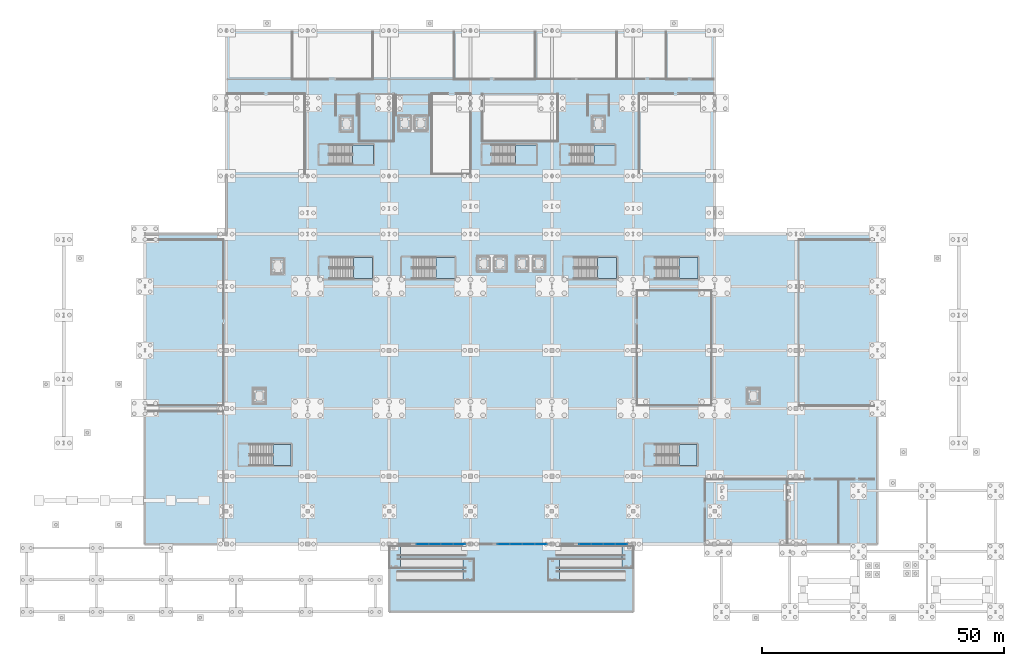
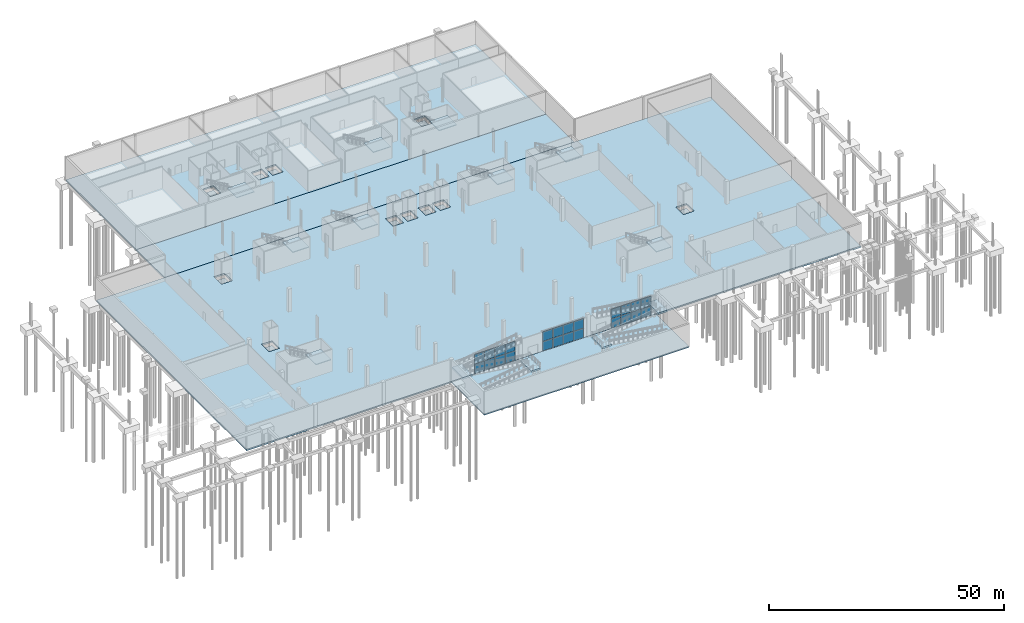
# One storey, part 23 of 46: 28 slabs, 24 plates, 12 elements without a shape of their own.
"""IFC4 building model written with IfcOpenShell, lengths in metres."""

from ifc_helpers import new_model, si_unit, direction, frame, origin, origin_2d, place, context, subcontext, project, spatial, polyline, rectangle, outline, extrude, material, layer, layer_set, type_object, element, aggregate, save


model = new_model("IFC4")

# Units and contexts
model_context = context("Model", 3, precision=1e-05, world=origin(), true_north=direction((0.0, 1.0)))
body_context = subcontext(model_context, "Body", "Model", "MODEL_VIEW")
ifc_project = project(units=[si_unit("LENGTHUNIT", "METRE"), si_unit("AREAUNIT", "SQUARE_METRE"), si_unit("VOLUMEUNIT", "CUBIC_METRE"), si_unit("PLANEANGLEUNIT", "RADIAN"), si_unit("MASSUNIT", "GRAM", prefix="KILO")], contexts=[model_context])

# Site, building, storey
site_placement = place(None, origin())
site = spatial("IfcSite", under=ifc_project, at=site_placement, CompositionType="ELEMENT")
building_placement = place(site_placement, origin())
building = spatial("IfcBuilding", under=site, at=building_placement, Name="Kimbaza Rail Terminus", CompositionType="ELEMENT")
storey_placement = place(building_placement, frame((0.0, 0.0, -6.0)))
storey = spatial("IfcBuildingStorey", under=building, at=storey_placement, Name="B1", CompositionType="ELEMENT", Elevation=-6.0)

# Curtain wall, plates
ifc_material_1 = material(Name="Anodised aluminium framing and solar low-E glazing", Category="aluminium")
curtain_wall_type = type_object("IfcCurtainWallType", Name="ARC-CW-CN1", PredefinedType="USERDEFINED", material=ifc_material_1)
curtain_wall_1_placement = place(storey_placement, origin())
curtain_wall_1 = element("IfcCurtainWall", 1, at=curtain_wall_1_placement, inside=storey, type_object=curtain_wall_type, Name="Metro Sunken Plaza Curtain Wall 1", ObjectType="UNITISED CURTAIN WALL", PredefinedType="USERDEFINED")
ifc_material_2 = material(Name="Solar-control double low-E glazing", Category="glass")
ifc_layer_1 = layer(ifc_material_2, 0.032958984375)
ifc_layer_set_1 = layer_set([ifc_layer_1], Name="Solar-control double low-E glazing")
plate_type = type_object("IfcPlateType", Name="ARC-CWP-02", PredefinedType="CURTAIN_PANEL", material=ifc_layer_set_1)
plate_1_placement = place(storey_placement, frame((95.6923828125, 27.0, 0.06982421875), z_axis=(0.0, 0.0, 1.0), x_axis=(1.0, 0.0, 0.0)))
plate_1 = element("IfcPlate", 2, at=plate_1_placement, type_object=plate_type, Name="CW-02 panel 1.1", PredefinedType="CURTAIN_PANEL", context=body_context, shape_type="SweptSolid", body=[
    extrude(rectangle(XDim=2.445068359375, YDim=0.032958984375, at=origin_2d()), origin(), (0.0, 0.0, 1.0), 2.445068359375),
])
plate_2_placement = place(storey_placement, frame((95.6923828125, 27.0, 2.5849609375), z_axis=(0.0, 0.0, 1.0), x_axis=(1.0, 0.0, 0.0)))
plate_2 = element("IfcPlate", 3, at=plate_2_placement, type_object=plate_type, Name="CW-02 panel 1.2", PredefinedType="CURTAIN_PANEL", context=body_context, shape_type="SweptSolid", body=[
    extrude(rectangle(XDim=2.445068359375, YDim=0.032958984375, at=origin_2d()), origin(), (0.0, 0.0, 1.0), 2.445068359375),
])
plate_3_placement = place(storey_placement, frame((98.22509765625, 27.0, 0.06982421875), z_axis=(0.0, 0.0, 1.0), x_axis=(1.0, 0.0, 0.0)))
plate_3 = element("IfcPlate", 4, at=plate_3_placement, type_object=plate_type, Name="CW-02 panel 2.1", PredefinedType="CURTAIN_PANEL", context=body_context, shape_type="SweptSolid", body=[
    extrude(rectangle(XDim=2.47998046875, YDim=0.032958984375, at=origin_2d()), origin(), (0.0, 0.0, 1.0), 2.445068359375),
])
plate_4_placement = place(storey_placement, frame((98.22509765625, 27.0, 2.5849609375), z_axis=(0.0, 0.0, 1.0), x_axis=(1.0, 0.0, 0.0)))
plate_4 = element("IfcPlate", 5, at=plate_4_placement, type_object=plate_type, Name="CW-02 panel 2.2", PredefinedType="CURTAIN_PANEL", context=body_context, shape_type="SweptSolid", body=[
    extrude(rectangle(XDim=2.47998046875, YDim=0.032958984375, at=origin_2d()), origin(), (0.0, 0.0, 1.0), 2.445068359375),
])
plate_5_placement = place(storey_placement, frame((100.77490234375, 27.0, 0.06982421875), z_axis=(0.0, 0.0, 1.0), x_axis=(1.0, 0.0, 0.0)))
plate_5 = element("IfcPlate", 6, at=plate_5_placement, type_object=plate_type, Name="CW-02 panel 3.1", PredefinedType="CURTAIN_PANEL", context=body_context, shape_type="SweptSolid", body=[
    extrude(rectangle(XDim=2.47998046875, YDim=0.032958984375, at=origin_2d()), origin(), (0.0, 0.0, 1.0), 2.445068359375),
])
plate_6_placement = place(storey_placement, frame((100.77490234375, 27.0, 2.5849609375), z_axis=(0.0, 0.0, 1.0), x_axis=(1.0, 0.0, 0.0)))
plate_6 = element("IfcPlate", 7, at=plate_6_placement, type_object=plate_type, Name="CW-02 panel 3.2", PredefinedType="CURTAIN_PANEL", context=body_context, shape_type="SweptSolid", body=[
    extrude(rectangle(XDim=2.47998046875, YDim=0.032958984375, at=origin_2d()), origin(), (0.0, 0.0, 1.0), 2.445068359375),
])
plate_7_placement = place(storey_placement, frame((103.3076171875, 27.0, 0.06982421875), z_axis=(0.0, 0.0, 1.0), x_axis=(1.0, 0.0, 0.0)))
plate_7 = element("IfcPlate", 8, at=plate_7_placement, type_object=plate_type, Name="CW-02 panel 4.1", PredefinedType="CURTAIN_PANEL", context=body_context, shape_type="SweptSolid", body=[
    extrude(rectangle(XDim=2.445068359375, YDim=0.032958984375, at=origin_2d()), origin(), (0.0, 0.0, 1.0), 2.445068359375),
])
plate_8_placement = place(storey_placement, frame((103.3076171875, 27.0, 2.5849609375), z_axis=(0.0, 0.0, 1.0), x_axis=(1.0, 0.0, 0.0)))
plate_8 = element("IfcPlate", 9, at=plate_8_placement, type_object=plate_type, Name="CW-02 panel 4.2", PredefinedType="CURTAIN_PANEL", context=body_context, shape_type="SweptSolid", body=[
    extrude(rectangle(XDim=2.445068359375, YDim=0.032958984375, at=origin_2d()), origin(), (0.0, 0.0, 1.0), 2.445068359375),
])
aggregate(curtain_wall_1, [plate_1, plate_2, plate_3, plate_4, plate_5, plate_6, plate_7, plate_8])

curtain_wall_2_placement = place(storey_placement, origin())
curtain_wall_2 = element("IfcCurtainWall", 10, at=curtain_wall_2_placement, inside=storey, type_object=curtain_wall_type, Name="Metro Sunken Plaza Curtain Wall 2", ObjectType="UNITISED CURTAIN WALL", PredefinedType="USERDEFINED")
plate_9_placement = place(storey_placement, frame((112.492431640625, 27.0, 0.06982421875), z_axis=(0.0, 0.0, 1.0), x_axis=(1.0, 0.0, 0.0)))
plate_9 = element("IfcPlate", 11, at=plate_9_placement, type_object=plate_type, Name="CW-02 panel 1.1", PredefinedType="CURTAIN_PANEL", context=body_context, shape_type="SweptSolid", body=[
    extrude(rectangle(XDim=2.445068359375, YDim=0.032958984375, at=origin_2d()), origin(), (0.0, 0.0, 1.0), 2.445068359375),
])
plate_10_placement = place(storey_placement, frame((112.492431640625, 27.0, 2.5849609375), z_axis=(0.0, 0.0, 1.0), x_axis=(1.0, 0.0, 0.0)))
plate_10 = element("IfcPlate", 12, at=plate_10_placement, type_object=plate_type, Name="CW-02 panel 1.2", PredefinedType="CURTAIN_PANEL", context=body_context, shape_type="SweptSolid", body=[
    extrude(rectangle(XDim=2.445068359375, YDim=0.032958984375, at=origin_2d()), origin(), (0.0, 0.0, 1.0), 2.445068359375),
])
plate_11_placement = place(storey_placement, frame((115.02490234375, 27.0, 0.06982421875), z_axis=(0.0, 0.0, 1.0), x_axis=(1.0, 0.0, 0.0)))
plate_11 = element("IfcPlate", 13, at=plate_11_placement, type_object=plate_type, Name="CW-02 panel 2.1", PredefinedType="CURTAIN_PANEL", context=body_context, shape_type="SweptSolid", body=[
    extrude(rectangle(XDim=2.47998046875, YDim=0.032958984375, at=origin_2d()), origin(), (0.0, 0.0, 1.0), 2.445068359375),
])
plate_12_placement = place(storey_placement, frame((115.02490234375, 27.0, 2.5849609375), z_axis=(0.0, 0.0, 1.0), x_axis=(1.0, 0.0, 0.0)))
plate_12 = element("IfcPlate", 14, at=plate_12_placement, type_object=plate_type, Name="CW-02 panel 2.2", PredefinedType="CURTAIN_PANEL", context=body_context, shape_type="SweptSolid", body=[
    extrude(rectangle(XDim=2.47998046875, YDim=0.032958984375, at=origin_2d()), origin(), (0.0, 0.0, 1.0), 2.445068359375),
])
plate_13_placement = place(storey_placement, frame((117.574951171875, 27.0, 0.06982421875), z_axis=(0.0, 0.0, 1.0), x_axis=(1.0, 0.0, 0.0)))
plate_13 = element("IfcPlate", 15, at=plate_13_placement, type_object=plate_type, Name="CW-02 panel 3.1", PredefinedType="CURTAIN_PANEL", context=body_context, shape_type="SweptSolid", body=[
    extrude(rectangle(XDim=2.47998046875, YDim=0.032958984375, at=origin_2d()), origin(), (0.0, 0.0, 1.0), 2.445068359375),
])
plate_14_placement = place(storey_placement, frame((117.574951171875, 27.0, 2.5849609375), z_axis=(0.0, 0.0, 1.0), x_axis=(1.0, 0.0, 0.0)))
plate_14 = element("IfcPlate", 16, at=plate_14_placement, type_object=plate_type, Name="CW-02 panel 3.2", PredefinedType="CURTAIN_PANEL", context=body_context, shape_type="SweptSolid", body=[
    extrude(rectangle(XDim=2.47998046875, YDim=0.032958984375, at=origin_2d()), origin(), (0.0, 0.0, 1.0), 2.445068359375),
])
plate_15_placement = place(storey_placement, frame((120.107421875, 27.0, 0.06982421875), z_axis=(0.0, 0.0, 1.0), x_axis=(1.0, 0.0, 0.0)))
plate_15 = element("IfcPlate", 17, at=plate_15_placement, type_object=plate_type, Name="CW-02 panel 4.1", PredefinedType="CURTAIN_PANEL", context=body_context, shape_type="SweptSolid", body=[
    extrude(rectangle(XDim=2.445068359375, YDim=0.032958984375, at=origin_2d()), origin(), (0.0, 0.0, 1.0), 2.445068359375),
])
plate_16_placement = place(storey_placement, frame((120.107421875, 27.0, 2.5849609375), z_axis=(0.0, 0.0, 1.0), x_axis=(1.0, 0.0, 0.0)))
plate_16 = element("IfcPlate", 18, at=plate_16_placement, type_object=plate_type, Name="CW-02 panel 4.2", PredefinedType="CURTAIN_PANEL", context=body_context, shape_type="SweptSolid", body=[
    extrude(rectangle(XDim=2.445068359375, YDim=0.032958984375, at=origin_2d()), origin(), (0.0, 0.0, 1.0), 2.445068359375),
])
aggregate(curtain_wall_2, [plate_9, plate_10, plate_11, plate_12, plate_13, plate_14, plate_15, plate_16])

curtain_wall_3_placement = place(storey_placement, origin())
curtain_wall_3 = element("IfcCurtainWall", 19, at=curtain_wall_3_placement, inside=storey, type_object=curtain_wall_type, Name="Metro Sunken Plaza Curtain Wall 3", ObjectType="UNITISED CURTAIN WALL", PredefinedType="USERDEFINED")
plate_17_placement = place(storey_placement, frame((129.267578125, 27.0, 0.06982421875), z_axis=(0.0, 0.0, 1.0), x_axis=(1.0, 0.0, 0.0)))
plate_17 = element("IfcPlate", 20, at=plate_17_placement, type_object=plate_type, Name="CW-02 panel 1.1", PredefinedType="CURTAIN_PANEL", context=body_context, shape_type="SweptSolid", body=[
    extrude(rectangle(XDim=2.39501953125, YDim=0.032958984375, at=origin_2d()), origin(), (0.0, 0.0, 1.0), 2.445068359375),
])
plate_18_placement = place(storey_placement, frame((129.267578125, 27.0, 2.5849609375), z_axis=(0.0, 0.0, 1.0), x_axis=(1.0, 0.0, 0.0)))
plate_18 = element("IfcPlate", 21, at=plate_18_placement, type_object=plate_type, Name="CW-02 panel 1.2", PredefinedType="CURTAIN_PANEL", context=body_context, shape_type="SweptSolid", body=[
    extrude(rectangle(XDim=2.39501953125, YDim=0.032958984375, at=origin_2d()), origin(), (0.0, 0.0, 1.0), 2.445068359375),
])
plate_19_placement = place(storey_placement, frame((131.75, 27.0, 0.06982421875), z_axis=(0.0, 0.0, 1.0), x_axis=(1.0, 0.0, 0.0)))
plate_19 = element("IfcPlate", 22, at=plate_19_placement, type_object=plate_type, Name="CW-02 panel 2.1", PredefinedType="CURTAIN_PANEL", context=body_context, shape_type="SweptSolid", body=[
    extrude(rectangle(XDim=2.429931640625, YDim=0.032958984375, at=origin_2d()), origin(), (0.0, 0.0, 1.0), 2.445068359375),
])
plate_20_placement = place(storey_placement, frame((131.75, 27.0, 2.5849609375), z_axis=(0.0, 0.0, 1.0), x_axis=(1.0, 0.0, 0.0)))
plate_20 = element("IfcPlate", 23, at=plate_20_placement, type_object=plate_type, Name="CW-02 panel 2.2", PredefinedType="CURTAIN_PANEL", context=body_context, shape_type="SweptSolid", body=[
    extrude(rectangle(XDim=2.429931640625, YDim=0.032958984375, at=origin_2d()), origin(), (0.0, 0.0, 1.0), 2.445068359375),
])
plate_21_placement = place(storey_placement, frame((134.25, 27.0, 0.06982421875), z_axis=(0.0, 0.0, 1.0), x_axis=(1.0, 0.0, 0.0)))
plate_21 = element("IfcPlate", 24, at=plate_21_placement, type_object=plate_type, Name="CW-02 panel 3.1", PredefinedType="CURTAIN_PANEL", context=body_context, shape_type="SweptSolid", body=[
    extrude(rectangle(XDim=2.429931640625, YDim=0.032958984375, at=origin_2d()), origin(), (0.0, 0.0, 1.0), 2.445068359375),
])
plate_22_placement = place(storey_placement, frame((134.25, 27.0, 2.5849609375), z_axis=(0.0, 0.0, 1.0), x_axis=(1.0, 0.0, 0.0)))
plate_22 = element("IfcPlate", 25, at=plate_22_placement, type_object=plate_type, Name="CW-02 panel 3.2", PredefinedType="CURTAIN_PANEL", context=body_context, shape_type="SweptSolid", body=[
    extrude(rectangle(XDim=2.429931640625, YDim=0.032958984375, at=origin_2d()), origin(), (0.0, 0.0, 1.0), 2.445068359375),
])
plate_23_placement = place(storey_placement, frame((136.732421875, 27.0, 0.06982421875), z_axis=(0.0, 0.0, 1.0), x_axis=(1.0, 0.0, 0.0)))
plate_23 = element("IfcPlate", 26, at=plate_23_placement, type_object=plate_type, Name="CW-02 panel 4.1", PredefinedType="CURTAIN_PANEL", context=body_context, shape_type="SweptSolid", body=[
    extrude(rectangle(XDim=2.39501953125, YDim=0.032958984375, at=origin_2d()), origin(), (0.0, 0.0, 1.0), 2.445068359375),
])
plate_24_placement = place(storey_placement, frame((136.732421875, 27.0, 2.5849609375), z_axis=(0.0, 0.0, 1.0), x_axis=(1.0, 0.0, 0.0)))
plate_24 = element("IfcPlate", 27, at=plate_24_placement, type_object=plate_type, Name="CW-02 panel 4.2", PredefinedType="CURTAIN_PANEL", context=body_context, shape_type="SweptSolid", body=[
    extrude(rectangle(XDim=2.39501953125, YDim=0.032958984375, at=origin_2d()), origin(), (0.0, 0.0, 1.0), 2.445068359375),
])
aggregate(curtain_wall_3, [plate_17, plate_18, plate_19, plate_20, plate_21, plate_22, plate_23, plate_24])

# Slabs
ifc_material_3 = material(Name="Concrete C40/50", Category="concrete")
ifc_layer_2 = layer(ifc_material_3, 0.39990234375)
ifc_layer_set_2 = layer_set([ifc_layer_2], Name="Concrete C40/50")
slab_type_1 = type_object("IfcSlabType", Name="STR-SL-BASE400", PredefinedType="BASESLAB", material=ifc_layer_set_2)
slab_1_placement = place(storey_placement, frame((0.0, 0.0, -0.39990234375)))
element("IfcSlab", 28, at=slab_1_placement, inside=storey, type_object=slab_type_1, Name="Operations Wing B1 Base Slab", PredefinedType="BASESLAB", context=body_context, shape_type="SweptSolid", body=[
    extrude(outline(polyline([(55.199951171875, 103.0), (156.0, 103.0), (156.0, 133.0), (55.199951171875, 133.0), (55.199951171875, 103.0)]), holes=[polyline([(90.699951171875, 112.39990234375), (93.300048828125, 112.39990234375), (93.300048828125, 115.60009765625), (90.699951171875, 115.60009765625), (90.699951171875, 112.39990234375)]), polyline([(94.10009765625, 112.39990234375), (96.699951171875, 112.39990234375), (96.699951171875, 115.60009765625), (94.10009765625, 115.60009765625), (94.10009765625, 112.39990234375)]), polyline([(78.699951171875, 112.199951171875), (81.300048828125, 112.199951171875), (81.300048828125, 115.39990234375), (78.699951171875, 115.39990234375), (78.699951171875, 112.199951171875)]), polyline([(130.699951171875, 112.199951171875), (133.300048828125, 112.199951171875), (133.300048828125, 115.39990234375), (130.699951171875, 115.39990234375), (130.699951171875, 112.199951171875)])]), origin(), (0.0, 0.0, 1.0), 0.39990234375),
])
slab_2_placement = place(storey_placement, frame((0.0, 0.0, -0.39990234375)))
element("IfcSlab", 29, at=slab_2_placement, inside=storey, type_object=slab_type_1, Name="Metro Concourse & Under-Viaduct B1 Base Slab", PredefinedType="BASESLAB", context=body_context, shape_type="SweptSolid", body=[
    extrude(outline(polyline([(38.39990234375, 27.0), (189.60009765625, 27.0), (189.60009765625, 91.0), (38.39990234375, 91.0), (38.39990234375, 27.0)]), holes=[polyline([(106.89990234375, 83.199951171875), (109.5, 83.199951171875), (109.5, 86.39990234375), (106.89990234375, 86.39990234375), (106.89990234375, 83.199951171875)]), polyline([(110.5, 83.199951171875), (113.10009765625, 83.199951171875), (113.10009765625, 86.39990234375), (110.5, 86.39990234375), (110.5, 83.199951171875)]), polyline([(114.89990234375, 83.199951171875), (117.5, 83.199951171875), (117.5, 86.39990234375), (114.89990234375, 86.39990234375), (114.89990234375, 83.199951171875)]), polyline([(118.5, 83.199951171875), (121.10009765625, 83.199951171875), (121.10009765625, 86.39990234375), (118.5, 86.39990234375), (118.5, 83.199951171875)]), polyline([(60.699951171875, 56.0), (63.300048828125, 56.0), (63.300048828125, 59.199951171875), (60.699951171875, 59.199951171875), (60.699951171875, 56.0)]), polyline([(162.699951171875, 56.0), (165.300048828125, 56.0), (165.300048828125, 59.199951171875), (162.699951171875, 59.199951171875), (162.699951171875, 56.0)]), polyline([(64.5, 82.800048828125), (67.10009765625, 82.800048828125), (67.10009765625, 86.0), (64.5, 86.0), (64.5, 82.800048828125)])]), origin(), (0.0, 0.0, 1.0), 0.39990234375),
])
slab_3_placement = place(storey_placement, frame((0.0, 0.0, -0.39990234375)))
element("IfcSlab", 30, at=slab_3_placement, inside=storey, type_object=slab_type_1, Name="North Service Link B1 Base Slab", PredefinedType="BASESLAB", context=body_context, shape_type="SweptSolid", body=[
    extrude(outline(polyline([(55.199951171875, 91.0), (156.0, 91.0), (156.0, 103.0), (55.199951171875, 103.0), (55.199951171875, 91.0)])), origin(), (0.0, 0.0, 1.0), 0.39990234375),
])

# Stair, slab
ifc_material_4 = material(Name="Concrete C40/50", Category="concrete")
stair_type_1 = type_object("IfcStairType", Name="ARC-STR-01", PredefinedType="HALF_TURN_STAIR", material=ifc_material_4)
stair_1_placement = place(storey_placement, origin())
stair_1 = element("IfcStair", 31, at=stair_1_placement, inside=storey, type_object=stair_type_1, Name="B1 Operations West Exit Stair", PredefinedType="HALF_TURN_STAIR")
ifc_material_5 = material(Name="Concrete C40/50", Category="concrete")
ifc_layer_3 = layer(ifc_material_5, 0.199951171875)
ifc_layer_set_3 = layer_set([ifc_layer_3], Name="Concrete C40/50")
slab_type_2 = type_object("IfcSlabType", Name="STR-SL-LND200", PredefinedType="LANDING", material=ifc_layer_set_3)
slab_4_placement = place(storey_placement, frame((0.0, 0.0, 2.800048828125)))
slab_4 = element("IfcSlab", 32, at=slab_4_placement, type_object=slab_type_2, Name="ST-W1 landing 1", PredefinedType="LANDING", context=body_context, shape_type="SweptSolid", body=[
    extrude(outline(polyline([(81.27001953125, 105.39990234375), (85.60009765625, 105.39990234375), (85.60009765625, 109.43994140625), (81.27001953125, 109.43994140625), (81.27001953125, 105.39990234375)])), origin(), (0.0, 0.0, 1.0), 0.199951171875),
])
aggregate(stair_1, [slab_4])

stair_2_placement = place(storey_placement, origin())
stair_2 = element("IfcStair", 33, at=stair_2_placement, inside=storey, type_object=stair_type_1, Name="B1 Operations Central Exit Stair", PredefinedType="HALF_TURN_STAIR")
slab_5_placement = place(storey_placement, frame((0.0, 0.0, 2.800048828125)))
slab_5 = element("IfcSlab", 34, at=slab_5_placement, type_object=slab_type_2, Name="ST-M1 landing 1", PredefinedType="LANDING", context=body_context, shape_type="SweptSolid", body=[
    extrude(outline(polyline([(114.8701171875, 105.39990234375), (119.199951171875, 105.39990234375), (119.199951171875, 109.43994140625), (114.8701171875, 109.43994140625), (114.8701171875, 105.39990234375)])), origin(), (0.0, 0.0, 1.0), 0.199951171875),
])
aggregate(stair_2, [slab_5])

stair_3_placement = place(storey_placement, origin())
stair_3 = element("IfcStair", 35, at=stair_3_placement, inside=storey, type_object=stair_type_1, Name="B1 Operations East Exit Stair", PredefinedType="HALF_TURN_STAIR")
slab_6_placement = place(storey_placement, frame((0.0, 0.0, 2.800048828125)))
slab_6 = element("IfcSlab", 36, at=slab_6_placement, type_object=slab_type_2, Name="ST-E1 landing 1", PredefinedType="LANDING", context=body_context, shape_type="SweptSolid", body=[
    extrude(outline(polyline([(131.070068359375, 105.39990234375), (135.39990234375, 105.39990234375), (135.39990234375, 109.43994140625), (131.070068359375, 109.43994140625), (131.070068359375, 105.39990234375)])), origin(), (0.0, 0.0, 1.0), 0.199951171875),
])
aggregate(stair_3, [slab_6])

ifc_material_6 = material(Name="Concrete C40/50", Category="concrete")
stair_type_2 = type_object("IfcStairType", Name="ARC-STR-05", PredefinedType="HALF_TURN_STAIR", material=ifc_material_6)
stair_4_placement = place(storey_placement, origin())
stair_4 = element("IfcStair", 37, at=stair_4_placement, inside=storey, type_object=stair_type_2, Name="B1 Platform West Concourse Stair", PredefinedType="HALF_TURN_STAIR")
slab_7_placement = place(storey_placement, frame((0.0, 0.0, 2.800048828125)))
slab_7 = element("IfcSlab", 38, at=slab_7_placement, type_object=slab_type_2, Name="ST-C1 landing 1", PredefinedType="LANDING", context=body_context, shape_type="SweptSolid", body=[
    extrude(outline(polyline([(81.449951171875, 81.800048828125), (85.39990234375, 81.800048828125), (85.39990234375, 86.199951171875), (81.449951171875, 86.199951171875), (81.449951171875, 81.800048828125)])), origin(), (0.0, 0.0, 1.0), 0.199951171875),
])
aggregate(stair_4, [slab_7])

stair_5_placement = place(storey_placement, origin())
stair_5 = element("IfcStair", 39, at=stair_5_placement, inside=storey, type_object=stair_type_2, Name="B1 Platform East Concourse Stair", PredefinedType="HALF_TURN_STAIR")
slab_8_placement = place(storey_placement, frame((0.0, 0.0, 2.800048828125)))
slab_8 = element("IfcSlab", 40, at=slab_8_placement, type_object=slab_type_2, Name="ST-C2 landing 1", PredefinedType="LANDING", context=body_context, shape_type="SweptSolid", body=[
    extrude(outline(polyline([(148.64990234375, 81.800048828125), (152.60009765625, 81.800048828125), (152.60009765625, 86.199951171875), (148.64990234375, 86.199951171875), (148.64990234375, 81.800048828125)])), origin(), (0.0, 0.0, 1.0), 0.199951171875),
])
aggregate(stair_5, [slab_8])

stair_6_placement = place(storey_placement, origin())
stair_6 = element("IfcStair", 41, at=stair_6_placement, inside=storey, type_object=stair_type_2, Name="B1 Footbridge West Platform Stair", PredefinedType="HALF_TURN_STAIR")
slab_9_placement = place(storey_placement, frame((0.0, 0.0, 2.800048828125)))
slab_9 = element("IfcSlab", 42, at=slab_9_placement, type_object=slab_type_2, Name="ST-C3 landing 1", PredefinedType="LANDING", context=body_context, shape_type="SweptSolid", body=[
    extrude(outline(polyline([(98.449951171875, 81.800048828125), (102.39990234375, 81.800048828125), (102.39990234375, 86.199951171875), (98.449951171875, 86.199951171875), (98.449951171875, 81.800048828125)])), origin(), (0.0, 0.0, 1.0), 0.199951171875),
])
aggregate(stair_6, [slab_9])

stair_7_placement = place(storey_placement, origin())
stair_7 = element("IfcStair", 43, at=stair_7_placement, inside=storey, type_object=stair_type_2, Name="B1 Footbridge East Platform Stair", PredefinedType="HALF_TURN_STAIR")
slab_10_placement = place(storey_placement, frame((0.0, 0.0, 2.800048828125)))
slab_10 = element("IfcSlab", 44, at=slab_10_placement, type_object=slab_type_2, Name="ST-C4 landing 1", PredefinedType="LANDING", context=body_context, shape_type="SweptSolid", body=[
    extrude(outline(polyline([(131.85009765625, 81.800048828125), (135.800048828125, 81.800048828125), (135.800048828125, 86.199951171875), (131.85009765625, 86.199951171875), (131.85009765625, 81.800048828125)])), origin(), (0.0, 0.0, 1.0), 0.199951171875),
])
aggregate(stair_7, [slab_10])

stair_8_placement = place(storey_placement, origin())
stair_8 = element("IfcStair", 45, at=stair_8_placement, inside=storey, type_object=stair_type_2, Name="B1 South Metro Concourse West Stair", PredefinedType="HALF_TURN_STAIR")
slab_11_placement = place(storey_placement, frame((0.0, 0.0, 2.800048828125)))
slab_11 = element("IfcSlab", 46, at=slab_11_placement, type_object=slab_type_2, Name="ST-S1 landing 1", PredefinedType="LANDING", context=body_context, shape_type="SweptSolid", body=[
    extrude(outline(polyline([(64.85009765625, 43.199951171875), (68.60009765625, 43.199951171875), (68.60009765625, 47.60009765625), (64.85009765625, 47.60009765625), (64.85009765625, 43.199951171875)])), origin(), (0.0, 0.0, 1.0), 0.199951171875),
])
aggregate(stair_8, [slab_11])

stair_9_placement = place(storey_placement, origin())
stair_9 = element("IfcStair", 47, at=stair_9_placement, inside=storey, type_object=stair_type_2, Name="B1 South Metro Concourse East Stair", PredefinedType="HALF_TURN_STAIR")
slab_12_placement = place(storey_placement, frame((0.0, 0.0, 2.800048828125)))
slab_12 = element("IfcSlab", 48, at=slab_12_placement, type_object=slab_type_2, Name="ST-S2 landing 1", PredefinedType="LANDING", context=body_context, shape_type="SweptSolid", body=[
    extrude(outline(polyline([(148.64990234375, 43.199951171875), (152.39990234375, 43.199951171875), (152.39990234375, 47.60009765625), (148.64990234375, 47.60009765625), (148.64990234375, 43.199951171875)])), origin(), (0.0, 0.0, 1.0), 0.199951171875),
])
aggregate(stair_9, [slab_12])

# Slabs
ifc_material_7 = material(Name="Concrete C40/50", Category="concrete")
ifc_layer_4 = layer(ifc_material_7, 0.449951171875)
ifc_layer_set_4 = layer_set([ifc_layer_4], Name="Concrete C40/50")
slab_type_3 = type_object("IfcSlabType", Name="STR-SL-LNDE450", PredefinedType="LANDING", material=ifc_layer_set_4)
slab_13_placement = place(storey_placement, frame((0.0, 0.0, 3.550048828125)))
element("IfcSlab", 49, at=slab_13_placement, inside=storey, type_object=slab_type_3, Name="Metro Plaza West Upper Ramp Switchback Landing", PredefinedType="LANDING", context=body_context, shape_type="SweptSolid", body=[
    extrude(outline(polyline([(88.800048828125, 22.0), (91.14990234375, 22.0), (91.14990234375, 26.60009765625), (88.800048828125, 26.60009765625), (88.800048828125, 22.0)])), origin(), (0.0, 0.0, 1.0), 0.449951171875),
])
slab_14_placement = place(storey_placement, frame((0.0, 0.0, 1.550048828125)))
element("IfcSlab", 50, at=slab_14_placement, inside=storey, type_object=slab_type_3, Name="Metro Plaza West Mid Ramp Switchback Landing", PredefinedType="LANDING", context=body_context, shape_type="SweptSolid", body=[
    extrude(outline(polyline([(104.050048828125, 19.39990234375), (106.39990234375, 19.39990234375), (106.39990234375, 24.0), (104.050048828125, 24.0), (104.050048828125, 19.39990234375)])), origin(), (0.0, 0.0, 1.0), 0.449951171875),
])
slab_15_placement = place(storey_placement, frame((0.0, 0.0, 3.550048828125)))
element("IfcSlab", 51, at=slab_15_placement, inside=storey, type_object=slab_type_3, Name="Metro Plaza East Upper Ramp Switchback Landing", PredefinedType="LANDING", context=body_context, shape_type="SweptSolid", body=[
    extrude(outline(polyline([(136.85009765625, 22.0), (139.199951171875, 22.0), (139.199951171875, 26.60009765625), (136.85009765625, 26.60009765625), (136.85009765625, 22.0)])), origin(), (0.0, 0.0, 1.0), 0.449951171875),
])
slab_16_placement = place(storey_placement, frame((0.0, 0.0, 1.550048828125)))
element("IfcSlab", 52, at=slab_16_placement, inside=storey, type_object=slab_type_3, Name="Metro Plaza East Mid Ramp Switchback Landing", PredefinedType="LANDING", context=body_context, shape_type="SweptSolid", body=[
    extrude(outline(polyline([(121.60009765625, 19.39990234375), (123.949951171875, 19.39990234375), (123.949951171875, 24.0), (121.60009765625, 24.0), (121.60009765625, 19.39990234375)])), origin(), (0.0, 0.0, 1.0), 0.449951171875),
])
ifc_material_8 = material(Name="Concrete C40/50", Category="concrete")
ifc_layer_5 = layer(ifc_material_8, 0.449951171875)
ifc_layer_set_5 = layer_set([ifc_layer_5], Name="Concrete C40/50")
slab_type_4 = type_object("IfcSlabType", Name="STR-SL-PIT450", PredefinedType="BASESLAB", material=ifc_layer_set_5)
slab_17_placement = place(storey_placement, frame((0.0, 0.0, -1.64990234375)))
element("IfcSlab", 53, at=slab_17_placement, inside=storey, type_object=slab_type_4, Name="Lift Pit Base Slab LP-08", PredefinedType="BASESLAB", context=body_context, shape_type="SweptSolid", body=[
    extrude(outline(polyline([(90.699951171875, 112.39990234375), (93.300048828125, 112.39990234375), (93.300048828125, 115.60009765625), (90.699951171875, 115.60009765625), (90.699951171875, 112.39990234375)])), origin(), (0.0, 0.0, 1.0), 0.449951171875),
])
slab_18_placement = place(storey_placement, frame((0.0, 0.0, -1.64990234375)))
element("IfcSlab", 54, at=slab_18_placement, inside=storey, type_object=slab_type_4, Name="Lift Pit Base Slab LP-09", PredefinedType="BASESLAB", context=body_context, shape_type="SweptSolid", body=[
    extrude(outline(polyline([(94.10009765625, 112.39990234375), (96.699951171875, 112.39990234375), (96.699951171875, 115.60009765625), (94.10009765625, 115.60009765625), (94.10009765625, 112.39990234375)])), origin(), (0.0, 0.0, 1.0), 0.449951171875),
])
slab_19_placement = place(storey_placement, frame((0.0, 0.0, -1.64990234375)))
element("IfcSlab", 55, at=slab_19_placement, inside=storey, type_object=slab_type_4, Name="Lift Pit Base Slab LF-01", PredefinedType="BASESLAB", context=body_context, shape_type="SweptSolid", body=[
    extrude(outline(polyline([(78.699951171875, 112.199951171875), (81.300048828125, 112.199951171875), (81.300048828125, 115.39990234375), (78.699951171875, 115.39990234375), (78.699951171875, 112.199951171875)])), origin(), (0.0, 0.0, 1.0), 0.449951171875),
])
slab_20_placement = place(storey_placement, frame((0.0, 0.0, -1.64990234375)))
element("IfcSlab", 56, at=slab_20_placement, inside=storey, type_object=slab_type_4, Name="Lift Pit Base Slab LF-02", PredefinedType="BASESLAB", context=body_context, shape_type="SweptSolid", body=[
    extrude(outline(polyline([(130.699951171875, 112.199951171875), (133.300048828125, 112.199951171875), (133.300048828125, 115.39990234375), (130.699951171875, 115.39990234375), (130.699951171875, 112.199951171875)])), origin(), (0.0, 0.0, 1.0), 0.449951171875),
])
slab_21_placement = place(storey_placement, frame((0.0, 0.0, -1.64990234375)))
element("IfcSlab", 57, at=slab_21_placement, inside=storey, type_object=slab_type_4, Name="Lift Pit Base Slab LP-01", PredefinedType="BASESLAB", context=body_context, shape_type="SweptSolid", body=[
    extrude(outline(polyline([(106.89990234375, 83.199951171875), (109.5, 83.199951171875), (109.5, 86.39990234375), (106.89990234375, 86.39990234375), (106.89990234375, 83.199951171875)])), origin(), (0.0, 0.0, 1.0), 0.449951171875),
])
slab_22_placement = place(storey_placement, frame((0.0, 0.0, -1.64990234375)))
element("IfcSlab", 58, at=slab_22_placement, inside=storey, type_object=slab_type_4, Name="Lift Pit Base Slab LP-02", PredefinedType="BASESLAB", context=body_context, shape_type="SweptSolid", body=[
    extrude(outline(polyline([(110.5, 83.199951171875), (113.10009765625, 83.199951171875), (113.10009765625, 86.39990234375), (110.5, 86.39990234375), (110.5, 83.199951171875)])), origin(), (0.0, 0.0, 1.0), 0.449951171875),
])
slab_23_placement = place(storey_placement, frame((0.0, 0.0, -1.64990234375)))
element("IfcSlab", 59, at=slab_23_placement, inside=storey, type_object=slab_type_4, Name="Lift Pit Base Slab LP-03", PredefinedType="BASESLAB", context=body_context, shape_type="SweptSolid", body=[
    extrude(outline(polyline([(114.89990234375, 83.199951171875), (117.5, 83.199951171875), (117.5, 86.39990234375), (114.89990234375, 86.39990234375), (114.89990234375, 83.199951171875)])), origin(), (0.0, 0.0, 1.0), 0.449951171875),
])
slab_24_placement = place(storey_placement, frame((0.0, 0.0, -1.64990234375)))
element("IfcSlab", 60, at=slab_24_placement, inside=storey, type_object=slab_type_4, Name="Lift Pit Base Slab LP-04", PredefinedType="BASESLAB", context=body_context, shape_type="SweptSolid", body=[
    extrude(outline(polyline([(118.5, 83.199951171875), (121.10009765625, 83.199951171875), (121.10009765625, 86.39990234375), (118.5, 86.39990234375), (118.5, 83.199951171875)])), origin(), (0.0, 0.0, 1.0), 0.449951171875),
])
slab_25_placement = place(storey_placement, frame((0.0, 0.0, -1.64990234375)))
element("IfcSlab", 61, at=slab_25_placement, inside=storey, type_object=slab_type_4, Name="Lift Pit Base Slab LP-05", PredefinedType="BASESLAB", context=body_context, shape_type="SweptSolid", body=[
    extrude(outline(polyline([(60.699951171875, 56.0), (63.300048828125, 56.0), (63.300048828125, 59.199951171875), (60.699951171875, 59.199951171875), (60.699951171875, 56.0)])), origin(), (0.0, 0.0, 1.0), 0.449951171875),
])
slab_26_placement = place(storey_placement, frame((0.0, 0.0, -1.64990234375)))
element("IfcSlab", 62, at=slab_26_placement, inside=storey, type_object=slab_type_4, Name="Lift Pit Base Slab LP-06", PredefinedType="BASESLAB", context=body_context, shape_type="SweptSolid", body=[
    extrude(outline(polyline([(162.699951171875, 56.0), (165.300048828125, 56.0), (165.300048828125, 59.199951171875), (162.699951171875, 59.199951171875), (162.699951171875, 56.0)])), origin(), (0.0, 0.0, 1.0), 0.449951171875),
])
slab_27_placement = place(storey_placement, frame((0.0, 0.0, -1.64990234375)))
element("IfcSlab", 63, at=slab_27_placement, inside=storey, type_object=slab_type_4, Name="Lift Pit Base Slab LG-01", PredefinedType="BASESLAB", context=body_context, shape_type="SweptSolid", body=[
    extrude(outline(polyline([(64.5, 82.800048828125), (67.10009765625, 82.800048828125), (67.10009765625, 86.0), (64.5, 86.0), (64.5, 82.800048828125)])), origin(), (0.0, 0.0, 1.0), 0.449951171875),
])
ifc_material_9 = material(Name="Concrete C40/50", Category="concrete")
ifc_layer_6 = layer(ifc_material_9, 0.300048828125)
ifc_layer_set_6 = layer_set([ifc_layer_6], Name="Concrete C40/50")
slab_type_5 = type_object("IfcSlabType", Name="STR-SL-PLZ300", PredefinedType="BASESLAB", material=ifc_layer_set_6)
slab_28_placement = place(storey_placement, frame((0.0, 0.0, -0.300048828125)))
element("IfcSlab", 64, at=slab_28_placement, inside=storey, type_object=slab_type_5, Name="Sunken Metro Forecourt Plaza Slab", PredefinedType="BASESLAB", context=body_context, shape_type="SweptSolid", body=[
    extrude(outline(polyline([(88.800048828125, 13.0), (139.199951171875, 13.0), (139.199951171875, 27.0), (88.800048828125, 27.0), (88.800048828125, 13.0)])), origin(), (0.0, 0.0, 1.0), 0.300048828125),
])

save(model, "model.ifc")
